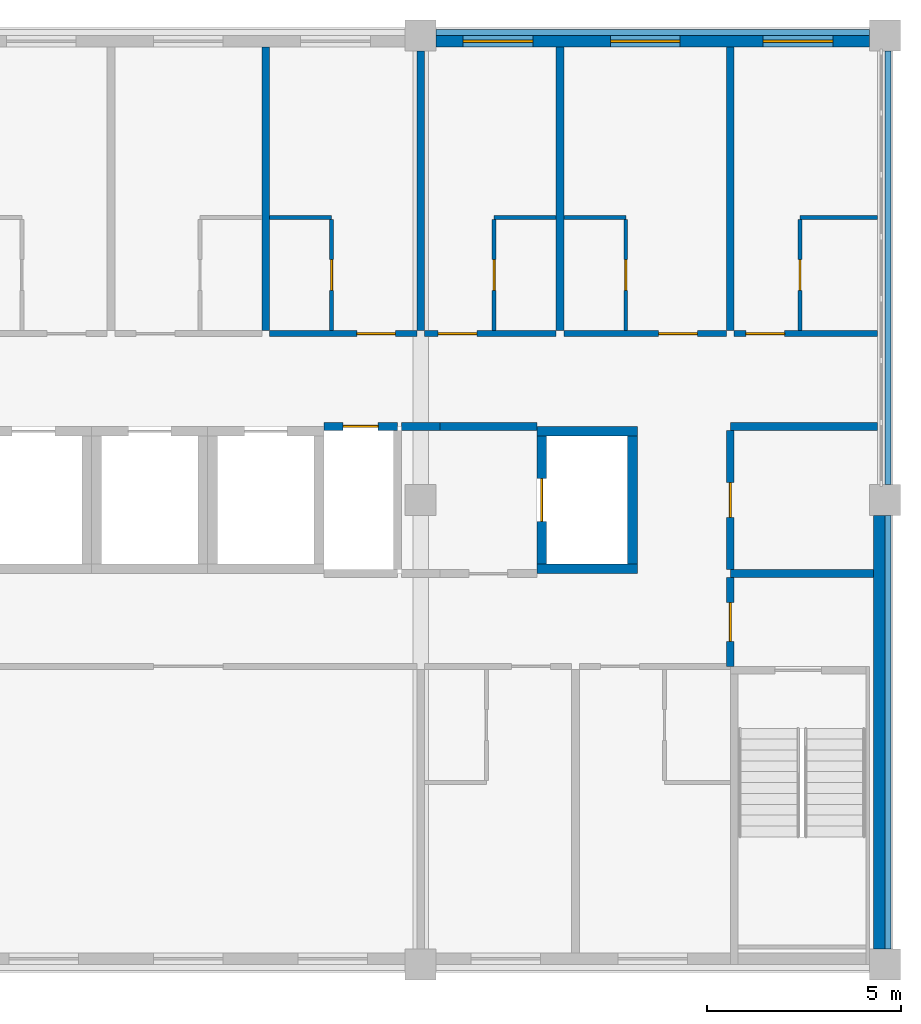
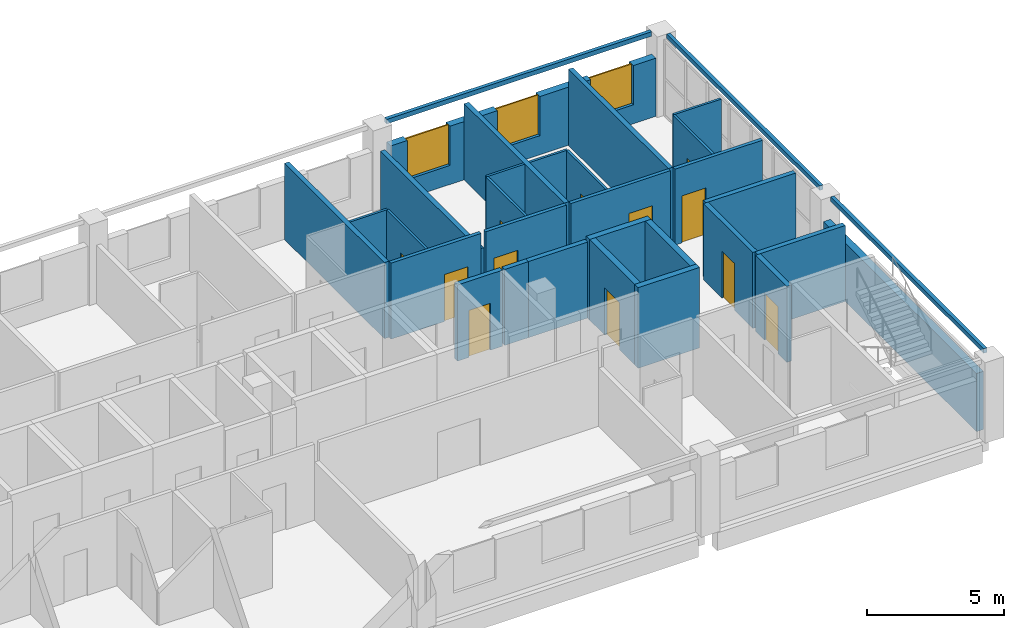
# One storey, part 9 of 11: 32 walls, 12 doors, 3 windows, 15 openings.
"""IFC4 building model written with IfcOpenShell, lengths in metres."""

from ifc_helpers import new_model, si_unit, direction, frame, frame_2d, origin, place, context, subcontext, project, spatial, rectangle, extrude, material, layer, layer_set, type_object, element, fill, save


model = new_model("IFC4")

# Units and contexts
model_context = context("Model", 3, precision=1e-05, world=origin(), true_north=direction((0.0, 1.0)))
body_context = subcontext(model_context, "Body", "Model", "MODEL_VIEW")
ifc_project = project(units=[si_unit("LENGTHUNIT", "METRE"), si_unit("AREAUNIT", "SQUARE_METRE"), si_unit("VOLUMEUNIT", "CUBIC_METRE"), si_unit("PLANEANGLEUNIT", "RADIAN"), si_unit("MASSUNIT", "GRAM", prefix="KILO")], contexts=[model_context])

# Site, building, storey
site_placement = place(None, origin())
site = spatial("IfcSite", under=ifc_project, at=site_placement, CompositionType="ELEMENT")
building_placement = place(site_placement, origin())
building = spatial("IfcBuilding", under=site, at=building_placement, Name="Lilac Gate Convention Centre", CompositionType="ELEMENT")
storey_placement = place(building_placement, frame((0.0, 0.0, 39.0)))
storey = spatial("IfcBuildingStorey", under=building, at=storey_placement, Name="L09", CompositionType="ELEMENT", Elevation=39.0)

# Walls
ifc_material_1 = material(Name="Concrete C50", Category="concrete")
ifc_layer_1 = layer(ifc_material_1, 0.25)
ifc_layer_set_1 = layer_set([ifc_layer_1], Name="Concrete C50")
wall_type_1 = type_object("IfcWallType", Name="Core wall 250 C50", PredefinedType="SHEAR", material=ifc_layer_set_1)
for number, where, z_axis, x_axis, name in (
    (1, (81.0, 232.22509765625, 0.0), (0.0, 0.0, 1.0), (1.0, 0.0, 0.0), "CRW4 core wall TC L09 33"),
    (2, (81.0, 235.77490234375, 0.0), (0.0, 0.0, 1.0), (1.0, 0.0, 0.0), "CRW4 core wall TC L09 34"),
):
    element("IfcWall", number, at=place(storey_placement, frame(where, z_axis=z_axis, x_axis=x_axis)), inside=storey, type_object=wall_type_1, Name=name, PredefinedType="SHEAR", context=body_context, shape_type="SweptSolid", body=[
        extrude(rectangle(XDim=2.60009765625, YDim=0.25, at=frame_2d((1.300048828125, 0.0))), origin(), (0.0, 0.0, 1.0), 3.60009765625),
    ])

# Wall, opening, door
wall_1_placement = place(storey_placement, frame((81.125, 232.35009765625, 0.0), z_axis=(0.0, 0.0, 1.0), x_axis=(0.0, 1.0, 0.0)))
wall_1 = element("IfcWall", 3, at=wall_1_placement, inside=storey, type_object=wall_type_1, Name="CRW4 core wall TC L09 35", PredefinedType="SHEAR", context=body_context, shape_type="SweptSolid", body=[
    extrude(rectangle(XDim=3.2998046875, YDim=0.25, at=frame_2d((1.64990234375, 0.0))), origin(), (0.0, 0.0, 1.0), 3.60009765625),
])
opening_1_placement = place(wall_1_placement, frame((1.10009765625, 0.0, 0.0)))
opening_1 = element("IfcOpeningElement", 4, at=opening_1_placement, cuts=wall_1, Name="Opening T07-044", PredefinedType="OPENING", context=body_context, shape_type="SweptSolid", body=[
    extrude(rectangle(XDim=1.10009765625, YDim=2.10009765625, at=frame_2d((0.550048828125, 1.050048828125))), frame((0.0, 0.135009765625, 0.0), z_axis=(0.0, -1.0, 0.0), x_axis=(1.0, 0.0, 0.0)), (0.0, 0.0, 1.0), 0.27001953125),
])
ifc_material_2 = material(Name="Stainless steel 304", Category="steel")
door_type_1 = type_object("IfcDoorType", Name="Lift landing door 1100", OperationType="SLIDING_TO_LEFT", PredefinedType="DOOR", material=ifc_material_2)
door_1_placement = place(opening_1_placement, origin())
door_1 = element("IfcDoor", 5, at=door_1_placement, inside=storey, type_object=door_type_1, Name="Lift landing door TF1 L09", OperationType="SLIDING_TO_LEFT", OverallHeight=2.10009765625, OverallWidth=1.10009765625, PredefinedType="DOOR", context=body_context, shape_type="SweptSolid", body=[
    extrude(rectangle(XDim=1.10009765625, YDim=2.10009765625, at=frame_2d((0.550048828125, 1.050048828125))), frame((0.0, 0.02490234375, 0.0), z_axis=(0.0, -1.0, 0.0), x_axis=(1.0, 0.0, 0.0)), (0.0, 0.0, 1.0), 0.050048828125),
])
fill(opening_1, door_1)

# Wall
wall_2_placement = place(storey_placement, frame((83.47509765625, 232.35009765625, 0.0), z_axis=(0.0, 0.0, 1.0), x_axis=(0.0, 1.0, 0.0)))
element("IfcWall", 6, at=wall_2_placement, inside=storey, type_object=wall_type_1, Name="CRW4 core wall TC L09 36", PredefinedType="SHEAR", context=body_context, shape_type="SweptSolid", body=[
    extrude(rectangle(XDim=3.2998046875, YDim=0.25, at=frame_2d((1.64990234375, 0.0))), origin(), (0.0, 0.0, 1.0), 3.60009765625),
])

# Wall, opening, door
ifc_material_3 = material(Name="Gypsum board on steel stud", Category="steel")
ifc_layer_2 = layer(ifc_material_3, 0.14990234375)
ifc_layer_set_2 = layer_set([ifc_layer_2], Name="Gypsum board on steel stud")
wall_type_2 = type_object("IfcWallType", Name="Corridor wall 150", PredefinedType="PARTITIONING", material=ifc_layer_set_2)
wall_3_placement = place(storey_placement, frame((74.10009765625, 238.300048828125, 0.0), z_axis=(0.0, 0.0, 1.0), x_axis=(1.0, 0.0, 0.0)))
wall_3 = element("IfcWall", 7, at=wall_3_placement, inside=storey, type_object=wall_type_2, Name="Corridor wall 150 front 0913", PredefinedType="PARTITIONING", context=body_context, shape_type="SweptSolid", body=[
    extrude(rectangle(XDim=3.7998046875, YDim=0.14990234375, at=frame_2d((1.89990234375, 0.0))), origin(), (0.0, 0.0, 1.0), 3.39990234375),
])
opening_2_placement = place(wall_3_placement, frame((2.25, 0.0, 0.0)))
opening_2 = element("IfcOpeningElement", 8, at=opening_2_placement, cuts=wall_3, Name="Opening T07-028", PredefinedType="OPENING", context=body_context, shape_type="SweptSolid", body=[
    extrude(rectangle(XDim=1.0, YDim=2.10009765625, at=frame_2d((0.5, 1.050048828125))), frame((0.0, 0.0849609375, 0.0), z_axis=(0.0, -1.0, 0.0), x_axis=(1.0, 0.0, 0.0)), (0.0, 0.0, 1.0), 0.169921875),
])
ifc_material_4 = material(Name="Timber", Category="wood")
door_type_2 = type_object("IfcDoorType", Name="Guest room entrance door 1000", OperationType="SINGLE_SWING_LEFT", PredefinedType="DOOR", material=ifc_material_4)
door_2_placement = place(opening_2_placement, origin())
door_2 = element("IfcDoor", 9, at=door_2_placement, inside=storey, type_object=door_type_2, Name="Guest room door 0913", OperationType="SINGLE_SWING_LEFT", OverallHeight=2.10009765625, OverallWidth=1.0, PredefinedType="DOOR", context=body_context, shape_type="SweptSolid", body=[
    extrude(rectangle(XDim=1.0, YDim=2.10009765625, at=frame_2d((0.5, 1.050048828125))), frame((0.0, 0.02490234375, 0.0), z_axis=(0.0, -1.0, 0.0), x_axis=(1.0, 0.0, 0.0)), (0.0, 0.0, 1.0), 0.050048828125),
])
fill(opening_2, door_2)

wall_4_placement = place(storey_placement, frame((78.10009765625, 238.300048828125, 0.0), z_axis=(0.0, 0.0, 1.0), x_axis=(1.0, 0.0, 0.0)))
wall_4 = element("IfcWall", 10, at=wall_4_placement, inside=storey, type_object=wall_type_2, Name="Corridor wall 150 front 0914", PredefinedType="PARTITIONING", context=body_context, shape_type="SweptSolid", body=[
    extrude(rectangle(XDim=3.39990234375, YDim=0.14990234375, at=frame_2d((1.699951171875, 0.0))), origin(), (0.0, 0.0, 1.0), 3.39990234375),
])
opening_3_placement = place(wall_4_placement, frame((0.35009765625, 0.0, 0.0)))
opening_3 = element("IfcOpeningElement", 11, at=opening_3_placement, cuts=wall_4, Name="Opening T07-030", PredefinedType="OPENING", context=body_context, shape_type="SweptSolid", body=[
    extrude(rectangle(XDim=1.0, YDim=2.10009765625, at=frame_2d((0.5, 1.050048828125))), frame((0.0, 0.0849609375, 0.0), z_axis=(0.0, -1.0, 0.0), x_axis=(1.0, 0.0, 0.0)), (0.0, 0.0, 1.0), 0.169921875),
])
door_3_placement = place(opening_3_placement, origin())
door_3 = element("IfcDoor", 12, at=door_3_placement, inside=storey, type_object=door_type_2, Name="Guest room door 0914", OperationType="SINGLE_SWING_LEFT", OverallHeight=2.10009765625, OverallWidth=1.0, PredefinedType="DOOR", context=body_context, shape_type="SweptSolid", body=[
    extrude(rectangle(XDim=1.0, YDim=2.10009765625, at=frame_2d((0.5, 1.050048828125))), frame((0.0, 0.02490234375, 0.0), z_axis=(0.0, -1.0, 0.0), x_axis=(1.0, 0.0, 0.0)), (0.0, 0.0, 1.0), 0.050048828125),
])
fill(opening_3, door_3)

wall_5_placement = place(storey_placement, frame((81.699951171875, 238.300048828125, 0.0), z_axis=(0.0, 0.0, 1.0), x_axis=(1.0, 0.0, 0.0)))
wall_5 = element("IfcWall", 13, at=wall_5_placement, inside=storey, type_object=wall_type_2, Name="Corridor wall 150 front 0915", PredefinedType="PARTITIONING", context=body_context, shape_type="SweptSolid", body=[
    extrude(rectangle(XDim=4.199951171875, YDim=0.14990234375, at=frame_2d((2.10009765625, 0.0))), origin(), (0.0, 0.0, 1.0), 3.39990234375),
])
opening_4_placement = place(wall_5_placement, frame((2.449951171875, 0.0, 0.0)))
opening_4 = element("IfcOpeningElement", 14, at=opening_4_placement, cuts=wall_5, Name="Opening T07-032", PredefinedType="OPENING", context=body_context, shape_type="SweptSolid", body=[
    extrude(rectangle(XDim=1.0, YDim=2.10009765625, at=frame_2d((0.5, 1.050048828125))), frame((0.0, 0.0849609375, 0.0), z_axis=(0.0, -1.0, 0.0), x_axis=(1.0, 0.0, 0.0)), (0.0, 0.0, 1.0), 0.169921875),
])
door_4_placement = place(opening_4_placement, origin())
door_4 = element("IfcDoor", 15, at=door_4_placement, inside=storey, type_object=door_type_2, Name="Guest room door 0915", OperationType="SINGLE_SWING_RIGHT", OverallHeight=2.10009765625, OverallWidth=1.0, PredefinedType="DOOR", context=body_context, shape_type="SweptSolid", body=[
    extrude(rectangle(XDim=1.0, YDim=2.10009765625, at=frame_2d((0.5, 1.050048828125))), frame((0.0, 0.02490234375, 0.0), z_axis=(0.0, -1.0, 0.0), x_axis=(1.0, 0.0, 0.0)), (0.0, 0.0, 1.0), 0.050048828125),
])
fill(opening_4, door_4)

wall_6_placement = place(storey_placement, frame((86.10009765625, 238.300048828125, 0.0), z_axis=(0.0, 0.0, 1.0), x_axis=(1.0, 0.0, 0.0)))
wall_6 = element("IfcWall", 16, at=wall_6_placement, inside=storey, type_object=wall_type_2, Name="Corridor wall 150 front 0916", PredefinedType="PARTITIONING", context=body_context, shape_type="SweptSolid", body=[
    extrude(rectangle(XDim=3.69970703125, YDim=0.14990234375, at=frame_2d((1.849853515625, 0.0))), origin(), (0.0, 0.0, 1.0), 3.39990234375),
])
opening_5_placement = place(wall_6_placement, frame((0.300048828125, 0.0, 0.0)))
opening_5 = element("IfcOpeningElement", 17, at=opening_5_placement, cuts=wall_6, Name="Opening T07-034", PredefinedType="OPENING", context=body_context, shape_type="SweptSolid", body=[
    extrude(rectangle(XDim=1.0, YDim=2.10009765625, at=frame_2d((0.5, 1.050048828125))), frame((0.0, 0.0849609375, 0.0), z_axis=(0.0, -1.0, 0.0), x_axis=(1.0, 0.0, 0.0)), (0.0, 0.0, 1.0), 0.169921875),
])
door_5_placement = place(opening_5_placement, origin())
door_5 = element("IfcDoor", 18, at=door_5_placement, inside=storey, type_object=door_type_2, Name="Guest room door 0916", OperationType="SINGLE_SWING_LEFT", OverallHeight=2.10009765625, OverallWidth=1.0, PredefinedType="DOOR", context=body_context, shape_type="SweptSolid", body=[
    extrude(rectangle(XDim=1.0, YDim=2.10009765625, at=frame_2d((0.5, 1.050048828125))), frame((0.0, 0.02490234375, 0.0), z_axis=(0.0, -1.0, 0.0), x_axis=(1.0, 0.0, 0.0)), (0.0, 0.0, 1.0), 0.050048828125),
])
fill(opening_5, door_5)

# Wall
ifc_layer_3 = layer(ifc_material_3, 0.10009765625)
ifc_layer_set_3 = layer_set([ifc_layer_3], Name="Gypsum board on steel stud")
wall_type_3 = type_object("IfcWallType", Name="En-suite wall 100", PredefinedType="PARTITIONING", material=ifc_layer_set_3)
wall_7_placement = place(storey_placement, frame((74.10009765625, 241.300048828125, 0.0), z_axis=(0.0, 0.0, 1.0), x_axis=(1.0, 0.0, 0.0)))
element("IfcWall", 19, at=wall_7_placement, inside=storey, type_object=wall_type_3, Name="En-suite wall 100 bath 0913", PredefinedType="PARTITIONING", context=body_context, shape_type="SweptSolid", body=[
    extrude(rectangle(XDim=1.599853515625, YDim=0.10009765625, at=frame_2d((0.7998046875, 0.0))), origin(), (0.0, 0.0, 1.0), 3.39990234375),
])

# Wall, opening, door
wall_8_placement = place(storey_placement, frame((75.699951171875, 241.25, 0.0), z_axis=(0.0, 0.0, 1.0), x_axis=(0.0, -1.0, 0.0)))
wall_8 = element("IfcWall", 20, at=wall_8_placement, inside=storey, type_object=wall_type_3, Name="En-suite wall 100 bath side 0913", PredefinedType="PARTITIONING", context=body_context, shape_type="SweptSolid", body=[
    extrude(rectangle(XDim=2.875, YDim=0.10009765625, at=frame_2d((1.4375, 0.0))), origin(), (0.0, 0.0, 1.0), 3.39990234375),
])
opening_6_placement = place(wall_8_placement, frame((1.03759765625, 0.0, 0.0)))
opening_6 = element("IfcOpeningElement", 21, at=opening_6_placement, cuts=wall_8, Name="Opening T07-029", PredefinedType="OPENING", context=body_context, shape_type="SweptSolid", body=[
    extrude(rectangle(XDim=0.800048828125, YDim=2.10009765625, at=frame_2d((0.39990234375, 1.050048828125))), frame((0.0, 0.06005859375, 0.0), z_axis=(0.0, -1.0, 0.0), x_axis=(1.0, 0.0, 0.0)), (0.0, 0.0, 1.0), 0.1201171875),
])
door_type_3 = type_object("IfcDoorType", Name="En-suite door 800", OperationType="SINGLE_SWING_LEFT", PredefinedType="DOOR", material=ifc_material_4)
door_6_placement = place(opening_6_placement, origin())
door_6 = element("IfcDoor", 22, at=door_6_placement, inside=storey, type_object=door_type_3, Name="En-suite door 0913", OperationType="SINGLE_SWING_RIGHT", OverallHeight=2.10009765625, OverallWidth=0.800048828125, PredefinedType="DOOR", context=body_context, shape_type="SweptSolid", body=[
    extrude(rectangle(XDim=0.800048828125, YDim=2.10009765625, at=frame_2d((0.39990234375, 1.050048828125))), frame((0.0, 0.02490234375, 0.0), z_axis=(0.0, -1.0, 0.0), x_axis=(1.0, 0.0, 0.0)), (0.0, 0.0, 1.0), 0.050048828125),
])
fill(opening_6, door_6)

# Wall
wall_9_placement = place(storey_placement, frame((79.89990234375, 241.300048828125, 0.0), z_axis=(0.0, 0.0, 1.0), x_axis=(1.0, 0.0, 0.0)))
element("IfcWall", 23, at=wall_9_placement, inside=storey, type_object=wall_type_3, Name="En-suite wall 100 bath 0914", PredefinedType="PARTITIONING", context=body_context, shape_type="SweptSolid", body=[
    extrude(rectangle(XDim=1.60009765625, YDim=0.10009765625, at=frame_2d((0.800048828125, 0.0))), origin(), (0.0, 0.0, 1.0), 3.39990234375),
])

# Wall, opening, door
wall_10_placement = place(storey_placement, frame((79.89990234375, 238.375, 0.0), z_axis=(0.0, 0.0, 1.0), x_axis=(0.0, 1.0, 0.0)))
wall_10 = element("IfcWall", 24, at=wall_10_placement, inside=storey, type_object=wall_type_3, Name="En-suite wall 100 bath side 0914", PredefinedType="PARTITIONING", context=body_context, shape_type="SweptSolid", body=[
    extrude(rectangle(XDim=2.875, YDim=0.10009765625, at=frame_2d((1.4375, 0.0))), origin(), (0.0, 0.0, 1.0), 3.39990234375),
])
opening_7_placement = place(wall_10_placement, frame((1.03759765625, 0.0, 0.0)))
opening_7 = element("IfcOpeningElement", 25, at=opening_7_placement, cuts=wall_10, Name="Opening T07-031", PredefinedType="OPENING", context=body_context, shape_type="SweptSolid", body=[
    extrude(rectangle(XDim=0.800048828125, YDim=2.10009765625, at=frame_2d((0.39990234375, 1.050048828125))), frame((0.0, 0.06005859375, 0.0), z_axis=(0.0, -1.0, 0.0), x_axis=(1.0, 0.0, 0.0)), (0.0, 0.0, 1.0), 0.1201171875),
])
door_7_placement = place(opening_7_placement, origin())
door_7 = element("IfcDoor", 26, at=door_7_placement, inside=storey, type_object=door_type_3, Name="En-suite door 0914", OperationType="SINGLE_SWING_LEFT", OverallHeight=2.10009765625, OverallWidth=0.800048828125, PredefinedType="DOOR", context=body_context, shape_type="SweptSolid", body=[
    extrude(rectangle(XDim=0.800048828125, YDim=2.10009765625, at=frame_2d((0.39990234375, 1.050048828125))), frame((0.0, 0.02490234375, 0.0), z_axis=(0.0, -1.0, 0.0), x_axis=(1.0, 0.0, 0.0)), (0.0, 0.0, 1.0), 0.050048828125),
])
fill(opening_7, door_7)

# Wall
wall_11_placement = place(storey_placement, frame((81.699951171875, 241.300048828125, 0.0), z_axis=(0.0, 0.0, 1.0), x_axis=(1.0, 0.0, 0.0)))
element("IfcWall", 27, at=wall_11_placement, inside=storey, type_object=wall_type_3, Name="En-suite wall 100 bath 0915", PredefinedType="PARTITIONING", context=body_context, shape_type="SweptSolid", body=[
    extrude(rectangle(XDim=1.60009765625, YDim=0.10009765625, at=frame_2d((0.800048828125, 0.0))), origin(), (0.0, 0.0, 1.0), 3.39990234375),
])

# Wall, opening, door
wall_12_placement = place(storey_placement, frame((83.300048828125, 241.25, 0.0), z_axis=(0.0, 0.0, 1.0), x_axis=(0.0, -1.0, 0.0)))
wall_12 = element("IfcWall", 28, at=wall_12_placement, inside=storey, type_object=wall_type_3, Name="En-suite wall 100 bath side 0915", PredefinedType="PARTITIONING", context=body_context, shape_type="SweptSolid", body=[
    extrude(rectangle(XDim=2.875, YDim=0.10009765625, at=frame_2d((1.4375, 0.0))), origin(), (0.0, 0.0, 1.0), 3.39990234375),
])
opening_8_placement = place(wall_12_placement, frame((1.03759765625, 0.0, 0.0)))
opening_8 = element("IfcOpeningElement", 29, at=opening_8_placement, cuts=wall_12, Name="Opening T07-033", PredefinedType="OPENING", context=body_context, shape_type="SweptSolid", body=[
    extrude(rectangle(XDim=0.800048828125, YDim=2.10009765625, at=frame_2d((0.39990234375, 1.050048828125))), frame((0.0, 0.06005859375, 0.0), z_axis=(0.0, -1.0, 0.0), x_axis=(1.0, 0.0, 0.0)), (0.0, 0.0, 1.0), 0.1201171875),
])
door_8_placement = place(opening_8_placement, origin())
door_8 = element("IfcDoor", 30, at=door_8_placement, inside=storey, type_object=door_type_3, Name="En-suite door 0915", OperationType="SINGLE_SWING_RIGHT", OverallHeight=2.10009765625, OverallWidth=0.800048828125, PredefinedType="DOOR", context=body_context, shape_type="SweptSolid", body=[
    extrude(rectangle(XDim=0.800048828125, YDim=2.10009765625, at=frame_2d((0.39990234375, 1.050048828125))), frame((0.0, 0.02490234375, 0.0), z_axis=(0.0, -1.0, 0.0), x_axis=(1.0, 0.0, 0.0)), (0.0, 0.0, 1.0), 0.050048828125),
])
fill(opening_8, door_8)

# Wall
wall_13_placement = place(storey_placement, frame((87.800048828125, 241.300048828125, 0.0), z_axis=(0.0, 0.0, 1.0), x_axis=(1.0, 0.0, 0.0)))
element("IfcWall", 31, at=wall_13_placement, inside=storey, type_object=wall_type_3, Name="En-suite wall 100 bath 0916", PredefinedType="PARTITIONING", context=body_context, shape_type="SweptSolid", body=[
    extrude(rectangle(XDim=1.999755859375, YDim=0.10009765625, at=frame_2d((1.0, 0.0))), origin(), (0.0, 0.0, 1.0), 3.39990234375),
])

# Wall, opening, door
wall_14_placement = place(storey_placement, frame((87.800048828125, 238.375, 0.0), z_axis=(0.0, 0.0, 1.0), x_axis=(0.0, 1.0, 0.0)))
wall_14 = element("IfcWall", 32, at=wall_14_placement, inside=storey, type_object=wall_type_3, Name="En-suite wall 100 bath side 0916", PredefinedType="PARTITIONING", context=body_context, shape_type="SweptSolid", body=[
    extrude(rectangle(XDim=2.875, YDim=0.10009765625, at=frame_2d((1.4375, 0.0))), origin(), (0.0, 0.0, 1.0), 3.39990234375),
])
opening_9_placement = place(wall_14_placement, frame((1.03759765625, 0.0, 0.0)))
opening_9 = element("IfcOpeningElement", 33, at=opening_9_placement, cuts=wall_14, Name="Opening T07-035", PredefinedType="OPENING", context=body_context, shape_type="SweptSolid", body=[
    extrude(rectangle(XDim=0.800048828125, YDim=2.10009765625, at=frame_2d((0.39990234375, 1.050048828125))), frame((0.0, 0.06005859375, 0.0), z_axis=(0.0, -1.0, 0.0), x_axis=(1.0, 0.0, 0.0)), (0.0, 0.0, 1.0), 0.1201171875),
])
door_9_placement = place(opening_9_placement, origin())
door_9 = element("IfcDoor", 34, at=door_9_placement, inside=storey, type_object=door_type_3, Name="En-suite door 0916", OperationType="SINGLE_SWING_LEFT", OverallHeight=2.10009765625, OverallWidth=0.800048828125, PredefinedType="DOOR", context=body_context, shape_type="SweptSolid", body=[
    extrude(rectangle(XDim=0.800048828125, YDim=2.10009765625, at=frame_2d((0.39990234375, 1.050048828125))), frame((0.0, 0.02490234375, 0.0), z_axis=(0.0, -1.0, 0.0), x_axis=(1.0, 0.0, 0.0)), (0.0, 0.0, 1.0), 0.050048828125),
])
fill(opening_9, door_9)

# Walls
ifc_layer_4 = layer(ifc_material_3, 0.199951171875)
ifc_layer_set_4 = layer_set([ifc_layer_4], Name="Gypsum board on steel stud")
wall_type_4 = type_object("IfcWallType", Name="Guest room party wall 200", PredefinedType="PARTITIONING", material=ifc_layer_set_4)
wall_15_placement = place(storey_placement, frame((74.0, 245.7001953125, 0.0), z_axis=(0.0, 0.0, 1.0), x_axis=(0.0, -1.0, 0.0)))
element("IfcWall", 35, at=wall_15_placement, inside=storey, type_object=wall_type_4, Name="Guest room party wall 200 party 74.0", PredefinedType="PARTITIONING", context=body_context, shape_type="SweptSolid", body=[
    extrude(rectangle(XDim=7.3251953125, YDim=0.199951171875, at=frame_2d((3.66259765625, 0.0))), origin(), (0.0, 0.0, 1.0), 3.39990234375),
])
wall_16_placement = place(storey_placement, frame((78.0, 245.60009765625, 0.0), z_axis=(0.0, 0.0, 1.0), x_axis=(0.0, -1.0, 0.0)))
element("IfcWall", 36, at=wall_16_placement, inside=storey, type_object=wall_type_4, Name="Guest room party wall 200 party 78.0", PredefinedType="PARTITIONING", context=body_context, shape_type="SweptSolid", body=[
    extrude(rectangle(XDim=7.22509765625, YDim=0.199951171875, at=frame_2d((3.612548828125, 0.0))), origin(), (0.0, 0.0, 1.0), 2.60009765625),
])
for number, where, z_axis, x_axis, name in (
    (37, (81.60009765625, 245.7001953125, 0.0), (0.0, 0.0, 1.0), (0.0, -1.0, 0.0), "Guest room party wall 200 party 81.6"),
    (38, (86.0, 245.7001953125, 0.0), (0.0, 0.0, 1.0), (0.0, -1.0, 0.0), "Guest room party wall 200 party 86.0"),
):
    element("IfcWall", number, at=place(storey_placement, frame(where, z_axis=z_axis, x_axis=x_axis)), inside=storey, type_object=wall_type_4, Name=name, PredefinedType="PARTITIONING", context=body_context, shape_type="SweptSolid", body=[
        extrude(rectangle(XDim=7.3251953125, YDim=0.199951171875, at=frame_2d((3.66259765625, 0.0))), origin(), (0.0, 0.0, 1.0), 3.39990234375),
    ])
ifc_layer_5 = layer(ifc_material_3, 0.199951171875)
ifc_layer_set_5 = layer_set([ifc_layer_5], Name="Gypsum board on steel stud")
wall_type_5 = type_object("IfcWallType", Name="Lobby wall 200", PredefinedType="PARTITIONING", material=ifc_layer_set_5)
wall_17_placement = place(storey_placement, frame((86.0, 232.10009765625, 0.0), z_axis=(0.0, 0.0, 1.0), x_axis=(1.0, 0.0, 0.0)))
element("IfcWall", 39, at=wall_17_placement, inside=storey, type_object=wall_type_5, Name="Lobby wall 200 STL-N", PredefinedType="PARTITIONING", context=body_context, shape_type="SweptSolid", body=[
    extrude(rectangle(XDim=3.7001953125, YDim=0.199951171875, at=frame_2d((1.85009765625, 0.0))), origin(), (0.0, 0.0, 1.0), 3.39990234375),
])
wall_18_placement = place(storey_placement, frame((78.5, 235.89990234375, 0.0), z_axis=(0.0, 0.0, 1.0), x_axis=(1.0, 0.0, 0.0)))
element("IfcWall", 40, at=wall_18_placement, inside=storey, type_object=wall_type_5, Name="Lobby wall 200 FFL-N", PredefinedType="PARTITIONING", context=body_context, shape_type="SweptSolid", body=[
    extrude(rectangle(XDim=2.5, YDim=0.199951171875, at=frame_2d((1.25, 0.0))), origin(), (0.0, 0.0, 1.0), 3.39990234375),
])

# Wall, opening, door
wall_19_placement = place(storey_placement, frame((86.0, 232.0, 0.0), z_axis=(0.0, 0.0, 1.0), x_axis=(0.0, -1.0, 0.0)))
wall_19 = element("IfcWall", 41, at=wall_19_placement, inside=storey, type_object=wall_type_5, Name="Lobby wall 200 STL-SE-W", PredefinedType="PARTITIONING", context=body_context, shape_type="SweptSolid", body=[
    extrude(rectangle(XDim=2.300048828125, YDim=0.199951171875, at=frame_2d((1.14990234375, 0.0))), origin(), (0.0, 0.0, 1.0), 3.39990234375),
])
opening_10_placement = place(wall_19_placement, frame((0.64990234375, 0.0, 0.0)))
opening_10 = element("IfcOpeningElement", 42, at=opening_10_placement, cuts=wall_19, Name="Opening T07-007", PredefinedType="OPENING", context=body_context, shape_type="SweptSolid", body=[
    extrude(rectangle(XDim=1.0, YDim=2.10009765625, at=frame_2d((0.5, 1.050048828125))), frame((0.0, 0.10986328125, 0.0), z_axis=(0.0, -1.0, 0.0), x_axis=(1.0, 0.0, 0.0)), (0.0, 0.0, 1.0), 0.219970703125),
])
ifc_material_5 = material(Name="Steel Q235B", Category="steel")
door_type_4 = type_object("IfcDoorType", Name="Lobby door 1000", OperationType="SINGLE_SWING_LEFT", PredefinedType="DOOR", material=ifc_material_5)
door_10_placement = place(opening_10_placement, origin())
door_10 = element("IfcDoor", 43, at=door_10_placement, inside=storey, type_object=door_type_4, Name="Stair lobby door SE", OperationType="SINGLE_SWING_LEFT", OverallHeight=2.10009765625, OverallWidth=1.0, PredefinedType="DOOR", context=body_context, shape_type="SweptSolid", body=[
    extrude(rectangle(XDim=1.0, YDim=2.10009765625, at=frame_2d((0.5, 1.050048828125))), frame((0.0, 0.02490234375, 0.0), z_axis=(0.0, -1.0, 0.0), x_axis=(1.0, 0.0, 0.0)), (0.0, 0.0, 1.0), 0.050048828125),
])
fill(opening_10, door_10)

# Walls
ifc_material_6 = material(Name="Concrete C40 precast", Category="concrete")
ifc_layer_6 = layer(ifc_material_6, 0.1298828125)
ifc_material_7 = material(Name="Terracotta glazed cladding", Category="masonry")
ifc_layer_7 = layer(ifc_material_7, 0.02001953125)
ifc_layer_set_6 = layer_set([ifc_layer_6, ifc_layer_7], Name="Concrete C40 precast, Terracotta glazed cladding")
wall_type_6 = type_object("IfcWallType", Name="Precast band terracotta 150", PredefinedType="STANDARD", material=ifc_layer_set_6)
for number, where, z_axis, x_axis, name in (
    (44, (90.074951171875, 222.39990234375, 3.39990234375), (0.0, 0.0, 1.0), (0.0, 1.0, 0.0), "Precast band E L09 1"),
    (45, (90.074951171875, 234.39990234375, 3.39990234375), (0.0, 0.0, 1.0), (0.0, 1.0, 0.0), "Precast band E L09 2"),
    (46, (89.60009765625, 246.074951171875, 3.39990234375), (0.0, 0.0, 1.0), (-1.0, 0.0, 0.0), "Precast band N L09 1"),
):
    element("IfcWall", number, at=place(storey_placement, frame(where, z_axis=z_axis, x_axis=x_axis)), inside=storey, type_object=wall_type_6, Name=name, PredefinedType="STANDARD", context=body_context, shape_type="SweptSolid", body=[
        extrude(rectangle(XDim=11.2001953125, YDim=0.14990234375, at=frame_2d((5.60009765625, 0.0))), origin(), (0.0, 0.0, 1.0), 0.2001953125),
    ])
ifc_layer_8 = layer(ifc_material_7, 0.02001953125)
ifc_layer_9 = layer(ifc_material_6, 0.06005859375)
ifc_material_8 = material(Name="Ventilated air cavity")
ifc_layer_10 = layer(ifc_material_8, 0.030029296875)
ifc_material_9 = material(Name="Mineral wool insulation")
ifc_layer_11 = layer(ifc_material_9, 0.1201171875)
ifc_material_10 = material(Name="Steel stud Q345 and gypsum lining", Category="steel")
ifc_layer_12 = layer(ifc_material_10, 0.070068359375)
ifc_layer_set_7 = layer_set([ifc_layer_8, ifc_layer_9, ifc_layer_10, ifc_layer_11, ifc_layer_12], Name="Terracotta glazed cladding, Concrete C40 precast, Ventilated air cavity, Mineral wool insulation, Steel stud Q345 and gypsum lining")
wall_type_7 = type_object("IfcWallType", Name="Precast panel wall terracotta 300", PredefinedType="STANDARD", material=ifc_layer_set_7)
wall_20_placement = place(storey_placement, frame((89.85009765625, 222.39990234375, 0.0), z_axis=(0.0, 0.0, 1.0), x_axis=(0.0, 1.0, 0.0)))
element("IfcWall", 47, at=wall_20_placement, inside=storey, type_object=wall_type_7, Name="External wall E L09 1", PredefinedType="STANDARD", context=body_context, shape_type="SweptSolid", body=[
    extrude(rectangle(XDim=11.2001953125, YDim=0.300048828125, at=frame_2d((5.60009765625, 0.0))), origin(), (0.0, 0.0, 1.0), 2.60009765625),
])

# Wall, openings, windows
wall_21_placement = place(storey_placement, frame((89.60009765625, 245.85009765625, 0.0), z_axis=(0.0, 0.0, 1.0), x_axis=(-1.0, 0.0, 0.0)))
wall_21 = element("IfcWall", 48, at=wall_21_placement, inside=storey, type_object=wall_type_7, Name="External wall N L09 1", PredefinedType="STANDARD", context=body_context, shape_type="SweptSolid", body=[
    extrude(rectangle(XDim=11.2001953125, YDim=0.300048828125, at=frame_2d((5.60009765625, 0.0))), origin(), (0.0, 0.0, 1.0), 2.60009765625),
])
opening_11_placement = place(wall_21_placement, frame((8.699951171875, 0.0, 0.85009765625)))
opening_11 = element("IfcOpeningElement", 49, at=opening_11_placement, cuts=wall_21, Name="Opening W1", PredefinedType="OPENING", context=body_context, shape_type="SweptSolid", body=[
    extrude(rectangle(XDim=1.800048828125, YDim=1.75, at=frame_2d((0.89990234375, 0.875))), frame((0.0, 0.159912109375, 0.0), z_axis=(0.0, -1.0, 0.0), x_axis=(1.0, 0.0, 0.0)), (0.0, 0.0, 1.0), 0.320068359375),
])
opening_12_placement = place(wall_21_placement, frame((4.89990234375, 0.0, 0.85009765625)))
opening_12 = element("IfcOpeningElement", 50, at=opening_12_placement, cuts=wall_21, Name="Opening W1", PredefinedType="OPENING", context=body_context, shape_type="SweptSolid", body=[
    extrude(rectangle(XDim=1.800048828125, YDim=1.75, at=frame_2d((0.89990234375, 0.875))), frame((0.0, 0.159912109375, 0.0), z_axis=(0.0, -1.0, 0.0), x_axis=(1.0, 0.0, 0.0)), (0.0, 0.0, 1.0), 0.320068359375),
])
opening_13_placement = place(wall_21_placement, frame((0.949951171875, 0.0, 0.85009765625)))
opening_13 = element("IfcOpeningElement", 51, at=opening_13_placement, cuts=wall_21, Name="Opening W1", PredefinedType="OPENING", context=body_context, shape_type="SweptSolid", body=[
    extrude(rectangle(XDim=1.800048828125, YDim=1.75, at=frame_2d((0.89990234375, 0.875))), frame((0.0, 0.159912109375, 0.0), z_axis=(0.0, -1.0, 0.0), x_axis=(1.0, 0.0, 0.0)), (0.0, 0.0, 1.0), 0.320068359375),
])
ifc_material_11 = material(Name="Aluminium framed double glazing", Category="aluminium")
window_type = type_object("IfcWindowType", Name="Guest room window 1800 x 1750", PartitioningType="DOUBLE_PANEL_VERTICAL", PredefinedType="WINDOW", material=ifc_material_11)
window_1_placement = place(opening_11_placement, origin())
window_1 = element("IfcWindow", 52, at=window_1_placement, inside=storey, type_object=window_type, Name="Window Guest N L09", OverallHeight=1.75, OverallWidth=1.800048828125, PartitioningType="SINGLE_PANEL", PredefinedType="WINDOW", context=body_context, shape_type="SweptSolid", body=[
    extrude(rectangle(XDim=1.800048828125, YDim=1.75, at=frame_2d((0.89990234375, 0.875))), frame((0.0, 0.030029296875, 0.0), z_axis=(0.0, -1.0, 0.0), x_axis=(1.0, 0.0, 0.0)), (0.0, 0.0, 1.0), 0.06005859375),
])
fill(opening_11, window_1)
window_2_placement = place(opening_12_placement, origin())
window_2 = element("IfcWindow", 53, at=window_2_placement, inside=storey, type_object=window_type, Name="Window Guest N L09", OverallHeight=1.75, OverallWidth=1.800048828125, PartitioningType="SINGLE_PANEL", PredefinedType="WINDOW", context=body_context, shape_type="SweptSolid", body=[
    extrude(rectangle(XDim=1.800048828125, YDim=1.75, at=frame_2d((0.89990234375, 0.875))), frame((0.0, 0.030029296875, 0.0), z_axis=(0.0, -1.0, 0.0), x_axis=(1.0, 0.0, 0.0)), (0.0, 0.0, 1.0), 0.06005859375),
])
fill(opening_12, window_2)
window_3_placement = place(opening_13_placement, origin())
window_3 = element("IfcWindow", 54, at=window_3_placement, inside=storey, type_object=window_type, Name="Window Guest N L09", OverallHeight=1.75, OverallWidth=1.800048828125, PartitioningType="SINGLE_PANEL", PredefinedType="WINDOW", context=body_context, shape_type="SweptSolid", body=[
    extrude(rectangle(XDim=1.800048828125, YDim=1.75, at=frame_2d((0.89990234375, 0.875))), frame((0.0, 0.030029296875, 0.0), z_axis=(0.0, -1.0, 0.0), x_axis=(1.0, 0.0, 0.0)), (0.0, 0.0, 1.0), 0.06005859375),
])
fill(opening_13, window_3)

# Wall, opening, door
ifc_layer_13 = layer(ifc_material_3, 0.199951171875)
ifc_layer_set_8 = layer_set([ifc_layer_13], Name="Gypsum board on steel stud")
wall_type_8 = type_object("IfcWallType", Name="Riser and store wall 200", PredefinedType="PARTITIONING", material=ifc_layer_set_8)
wall_22_placement = place(storey_placement, frame((77.39990234375, 235.89990234375, 0.0), z_axis=(0.0, 0.0, 1.0), x_axis=(-1.0, 0.0, 0.0)))
wall_22 = element("IfcWall", 55, at=wall_22_placement, inside=storey, type_object=wall_type_8, Name="Riser and store wall 200 RS2-N", PredefinedType="PARTITIONING", context=body_context, shape_type="SweptSolid", body=[
    extrude(rectangle(XDim=1.89990234375, YDim=0.199951171875, at=frame_2d((0.949951171875, 0.0))), origin(), (0.0, 0.0, 1.0), 3.39990234375),
])
opening_14_placement = place(wall_22_placement, frame((0.5, 0.0, 0.0)))
opening_14 = element("IfcOpeningElement", 56, at=opening_14_placement, cuts=wall_22, Name="Opening T07-003", PredefinedType="OPENING", context=body_context, shape_type="SweptSolid", body=[
    extrude(rectangle(XDim=0.89990234375, YDim=2.10009765625, at=frame_2d((0.449951171875, 1.050048828125))), frame((0.0, 0.10986328125, 0.0), z_axis=(0.0, -1.0, 0.0), x_axis=(1.0, 0.0, 0.0)), (0.0, 0.0, 1.0), 0.219970703125),
])
door_type_5 = type_object("IfcDoorType", Name="Riser and store door 900", OperationType="SINGLE_SWING_LEFT", PredefinedType="DOOR", material=ifc_material_5)
door_11_placement = place(opening_14_placement, origin())
door_11 = element("IfcDoor", 57, at=door_11_placement, inside=storey, type_object=door_type_5, Name="Riser room door", OperationType="SINGLE_SWING_LEFT", OverallHeight=2.10009765625, OverallWidth=0.89990234375, PredefinedType="DOOR", context=body_context, shape_type="SweptSolid", body=[
    extrude(rectangle(XDim=0.89990234375, YDim=2.10009765625, at=frame_2d((0.449951171875, 1.050048828125))), frame((0.0, 0.02490234375, 0.0), z_axis=(0.0, -1.0, 0.0), x_axis=(1.0, 0.0, 0.0)), (0.0, 0.0, 1.0), 0.050048828125),
])
fill(opening_14, door_11)

# Walls
wall_23_placement = place(storey_placement, frame((77.5, 235.89990234375, 0.0), z_axis=(0.0, 0.0, 1.0), x_axis=(1.0, 0.0, 0.0)))
element("IfcWall", 58, at=wall_23_placement, inside=storey, type_object=wall_type_8, Name="Riser and store wall 200 NICHE3-N", PredefinedType="PARTITIONING", context=body_context, shape_type="SweptSolid", body=[
    extrude(rectangle(XDim=1.0, YDim=0.199951171875, at=frame_2d((0.5, 0.0))), origin(), (0.0, 0.0, 1.0), 3.39990234375),
])
wall_24_placement = place(storey_placement, frame((86.0, 235.89990234375, 0.0), z_axis=(0.0, 0.0, 1.0), x_axis=(1.0, 0.0, 0.0)))
element("IfcWall", 59, at=wall_24_placement, inside=storey, type_object=wall_type_8, Name="Riser and store wall 200 STE-N", PredefinedType="PARTITIONING", context=body_context, shape_type="SweptSolid", body=[
    extrude(rectangle(XDim=3.7998046875, YDim=0.199951171875, at=frame_2d((1.89990234375, 0.0))), origin(), (0.0, 0.0, 1.0), 3.39990234375),
])

# Wall, opening, door
wall_25_placement = place(storey_placement, frame((86.0, 235.800048828125, 0.0), z_axis=(0.0, 0.0, 1.0), x_axis=(0.0, -1.0, 0.0)))
wall_25 = element("IfcWall", 60, at=wall_25_placement, inside=storey, type_object=wall_type_8, Name="Riser and store wall 200 STE-W", PredefinedType="PARTITIONING", context=body_context, shape_type="SweptSolid", body=[
    extrude(rectangle(XDim=3.60009765625, YDim=0.199951171875, at=frame_2d((1.800048828125, 0.0))), origin(), (0.0, 0.0, 1.0), 3.39990234375),
])
opening_15_placement = place(wall_25_placement, frame((1.35009765625, 0.0, 0.0)))
opening_15 = element("IfcOpeningElement", 61, at=opening_15_placement, cuts=wall_25, Name="Opening T07-005", PredefinedType="OPENING", context=body_context, shape_type="SweptSolid", body=[
    extrude(rectangle(XDim=0.89990234375, YDim=2.10009765625, at=frame_2d((0.449951171875, 1.050048828125))), frame((0.0, 0.10986328125, 0.0), z_axis=(0.0, -1.0, 0.0), x_axis=(1.0, 0.0, 0.0)), (0.0, 0.0, 1.0), 0.219970703125),
])
door_12_placement = place(opening_15_placement, origin())
door_12 = element("IfcDoor", 62, at=door_12_placement, inside=storey, type_object=door_type_5, Name="Linen store door", OperationType="SINGLE_SWING_LEFT", OverallHeight=2.10009765625, OverallWidth=0.89990234375, PredefinedType="DOOR", context=body_context, shape_type="SweptSolid", body=[
    extrude(rectangle(XDim=0.89990234375, YDim=2.10009765625, at=frame_2d((0.449951171875, 1.050048828125))), frame((0.0, 0.02490234375, 0.0), z_axis=(0.0, -1.0, 0.0), x_axis=(1.0, 0.0, 0.0)), (0.0, 0.0, 1.0), 0.050048828125),
])
fill(opening_15, door_12)

save(model, "model.ifc")
